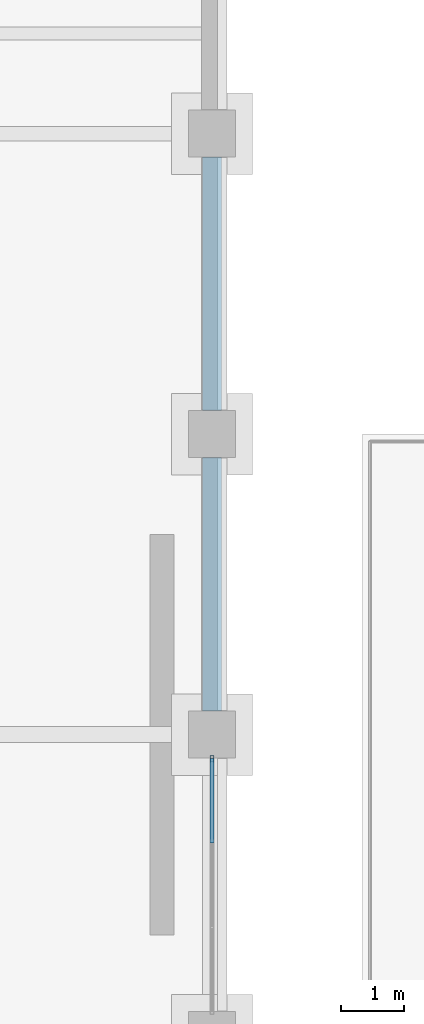
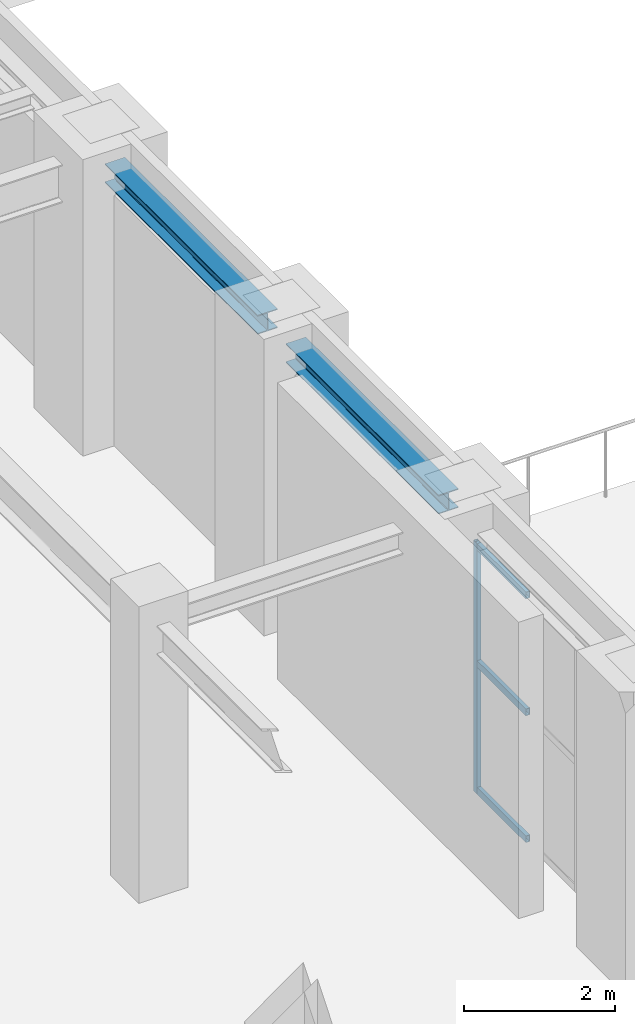
# One storey, part 22 of 83: 4 members, 2 beams, 1 element without a shape of its own.
"""IFC4 building model written with IfcOpenShell, lengths in metres."""

from ifc_helpers import new_model, si_unit, direction, frame, origin, origin_2d, place, context, subcontext, project, spatial, hollow_rectangle, i_section, extrude, material, material_profile, profile_set, type_object, element, aggregate, save


model = new_model("IFC4")

# Units and contexts
model_context = context("Model", 3, precision=1e-05, world=origin(), true_north=direction((0.0, 1.0)))
body_context = subcontext(model_context, "Body", "Model", "MODEL_VIEW")
ifc_project = project(units=[si_unit("LENGTHUNIT", "METRE"), si_unit("AREAUNIT", "SQUARE_METRE"), si_unit("VOLUMEUNIT", "CUBIC_METRE"), si_unit("PLANEANGLEUNIT", "RADIAN"), si_unit("MASSUNIT", "GRAM", prefix="KILO")], contexts=[model_context])

# Site, building, storey
site_placement = place(None, origin())
site = spatial("IfcSite", under=ifc_project, at=site_placement, CompositionType="ELEMENT")
building_placement = place(site_placement, origin())
building = spatial("IfcBuilding", under=site, at=building_placement, Name="Mavantir Sound Aquarium", CompositionType="ELEMENT")
storey_placement = place(building_placement, frame((0.0, 0.0, 10.5)))
storey = spatial("IfcBuildingStorey", under=building, at=storey_placement, Name="L02", CompositionType="ELEMENT", Elevation=10.5)

# Beams
ifc_material_1 = material(Name="Structural Steel ASTM A992 Gr50", Category="steel")
ifc_material_profile_1 = material_profile(ifc_material_1, i_section(OverallWidth=0.304931640625, OverallDepth=0.30810546875, WebThickness=0.010009765625, FlangeThickness=0.015380859375, FilletRadius=0.014892578125, at=origin_2d()), Name="W310X97")
ifc_profile_set_1 = profile_set([ifc_material_profile_1], Name="Structural Steel ASTM A992 Gr50")
beam_type = type_object("IfcBeamType", Name="BM-W310X97-E", PredefinedType="SPANDREL", material=ifc_profile_set_1)
beam_1_placement = place(storey_placement, frame((33.60009765625, 65.175048828125, 4.241943359375), z_axis=(0.0, 1.0, 0.0), x_axis=(-1.0, 0.0, 0.0)))
element("IfcBeam", 1, at=beam_1_placement, inside=storey, type_object=beam_type, Name="L02 primary girder SS-31A 1478", PredefinedType="SPANDREL", context=body_context, shape_type="SweptSolid", body=[
    extrude(i_section(OverallWidth=0.304931640625, OverallDepth=0.30810546875, WebThickness=0.010009765625, FlangeThickness=0.015380859375, FilletRadius=0.014892578125, at=origin_2d()), origin(), (0.0, 0.0, 1.0), 4.050048828125),
])
beam_2_placement = place(storey_placement, frame((33.60009765625, 69.97509765625, 4.241943359375), z_axis=(0.0, 1.0, 0.0), x_axis=(-1.0, 0.0, 0.0)))
element("IfcBeam", 2, at=beam_2_placement, inside=storey, type_object=beam_type, Name="L02 primary girder SS-31A 1479", PredefinedType="SPANDREL", context=body_context, shape_type="SweptSolid", body=[
    extrude(i_section(OverallWidth=0.304931640625, OverallDepth=0.30810546875, WebThickness=0.010009765625, FlangeThickness=0.015380859375, FilletRadius=0.014892578125, at=origin_2d()), origin(), (0.0, 0.0, 1.0), 4.0498046875),
])

# Curtain wall, members
ifc_material_2 = material(Name="Anodised Marine Aluminium and Low-E Glass", Category="aluminium")
curtain_wall_type = type_object("IfcCurtainWallType", Name="CW-T03", PredefinedType="USERDEFINED", material=ifc_material_2)
curtain_wall_placement = place(storey_placement, origin())
curtain_wall = element("IfcCurtainWall", 3, at=curtain_wall_placement, inside=storey, type_object=curtain_wall_type, Name="L02 unitised curtain wall CW-03 123", ObjectType="UNITISED GLAZING", PredefinedType="USERDEFINED")
ifc_material_3 = material(Name="Anodised Marine Aluminium 6063-T6", Category="aluminium")
ifc_material_profile_2 = material_profile(ifc_material_3, hollow_rectangle(XDim=0.06005859375, YDim=0.10009765625, WallThickness=0.00390625, at=origin_2d()), Name="ALU-MULLION-100X60")
ifc_profile_set_2 = profile_set([ifc_material_profile_2], Name="Anodised Marine Aluminium 6063-T6")
member_type_1 = type_object("IfcMemberType", Name="CW-MUL-100", PredefinedType="MULLION", material=ifc_profile_set_2)
member_1_placement = place(storey_placement, frame((33.60009765625, 64.4169921875, 0.0), z_axis=(0.0, 0.0, 1.0), x_axis=(1.0, 0.0, 0.0)))
member_1 = element("IfcMember", 4, at=member_1_placement, type_object=member_type_1, Name="CW-L02-123 vertical mullion 4", PredefinedType="MULLION", context=body_context, shape_type="SweptSolid", body=[
    extrude(hollow_rectangle(XDim=0.06005859375, YDim=0.10009765625, WallThickness=0.00390625, at=origin_2d()), origin(), (0.0, 0.0, 1.0), 4.05810546875),
])
ifc_material_profile_3 = material_profile(ifc_material_3, hollow_rectangle(XDim=0.06005859375, YDim=0.110107421875, WallThickness=0.00390625, at=origin_2d()), Name="ALU-TRANSOM-110X60")
ifc_profile_set_3 = profile_set([ifc_material_profile_3], Name="Anodised Marine Aluminium 6063-T6")
member_type_2 = type_object("IfcMemberType", Name="CW-TRN-110", PredefinedType="USERDEFINED", material=ifc_profile_set_3)
member_2_placement = place(storey_placement, frame((33.60009765625, 63.072265625, 0.054931640625), z_axis=(0.0, 1.0, 0.0), x_axis=(-1.0, 0.0, 0.0)))
member_2 = element("IfcMember", 5, at=member_2_placement, type_object=member_type_2, Name="CW-L02-123 transom 3.1", ObjectType="TRANSOM", PredefinedType="USERDEFINED", context=body_context, shape_type="SweptSolid", body=[
    extrude(hollow_rectangle(XDim=0.06005859375, YDim=0.110107421875, WallThickness=0.00390625, at=origin_2d()), origin(), (0.0, 0.0, 1.0), 1.3447265625),
])
member_3_placement = place(storey_placement, frame((33.60009765625, 63.072265625, 2.110107421875), z_axis=(0.0, 1.0, 0.0), x_axis=(-1.0, 0.0, 0.0)))
member_3 = element("IfcMember", 6, at=member_3_placement, type_object=member_type_2, Name="CW-L02-123 transom 3.2", ObjectType="TRANSOM", PredefinedType="USERDEFINED", context=body_context, shape_type="SweptSolid", body=[
    extrude(hollow_rectangle(XDim=0.06005859375, YDim=0.110107421875, WallThickness=0.00390625, at=origin_2d()), origin(), (0.0, 0.0, 1.0), 1.3447265625),
])
member_4_placement = place(storey_placement, frame((33.60009765625, 63.072265625, 4.0029296875), z_axis=(0.0, 1.0, 0.0), x_axis=(-1.0, 0.0, 0.0)))
member_4 = element("IfcMember", 7, at=member_4_placement, type_object=member_type_2, Name="CW-L02-123 transom 3.3", ObjectType="TRANSOM", PredefinedType="USERDEFINED", context=body_context, shape_type="SweptSolid", body=[
    extrude(hollow_rectangle(XDim=0.06005859375, YDim=0.110107421875, WallThickness=0.00390625, at=origin_2d()), origin(), (0.0, 0.0, 1.0), 1.3447265625),
])
aggregate(curtain_wall, [member_1, member_2, member_3, member_4])

save(model, "model.ifc")
